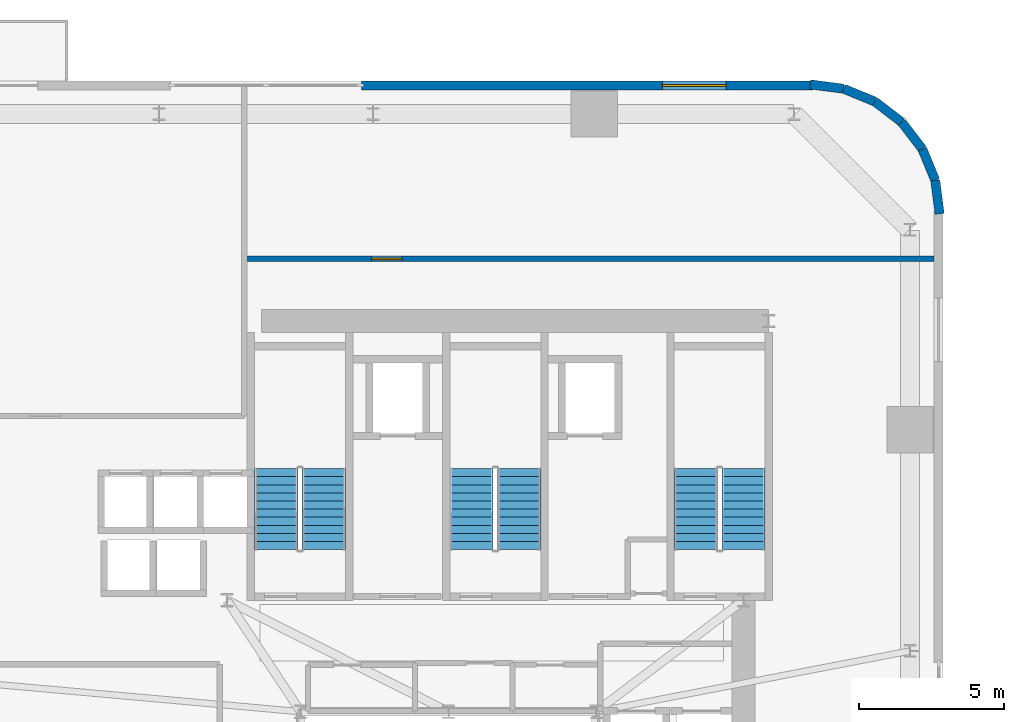
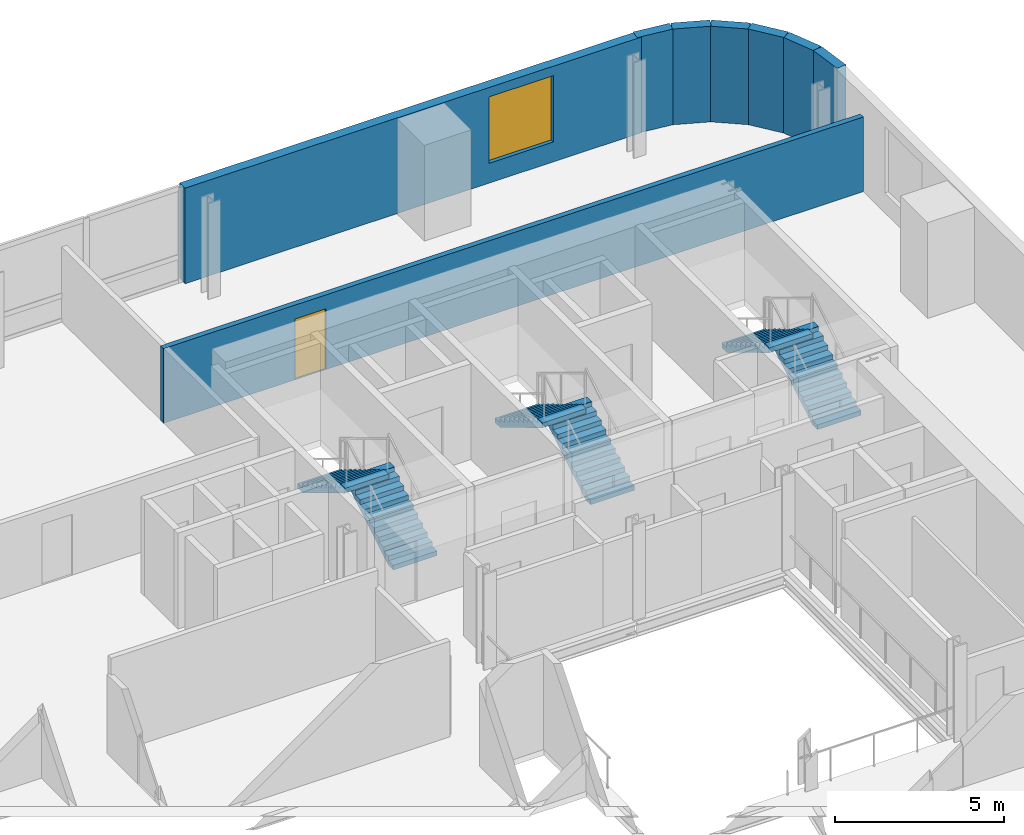
# One storey, part 9 of 13: 8 walls, 6 stair flights, 1 door, 1 window, 2 openings, 3 elements without a shape of their own.
"""IFC4 building model written with IfcOpenShell, lengths in metres."""

from ifc_helpers import new_model, si_unit, direction, frame, frame_2d, origin, place, context, subcontext, project, spatial, polyline, rectangle, outline, extrude, source, transform, mapped, material, layer, layer_set, type_object, element, fill, aggregate, save


model = new_model("IFC4")

# Units and contexts
model_context = context("Model", 3, precision=1e-05, world=origin(), true_north=direction((0.0, 1.0)))
body_context = subcontext(model_context, "Body", "Model", "MODEL_VIEW")
ifc_project = project(units=[si_unit("LENGTHUNIT", "METRE"), si_unit("AREAUNIT", "SQUARE_METRE"), si_unit("VOLUMEUNIT", "CUBIC_METRE"), si_unit("PLANEANGLEUNIT", "RADIAN"), si_unit("MASSUNIT", "GRAM", prefix="KILO")], contexts=[model_context])

# Site, building, storey
site_placement = place(None, origin())
site = spatial("IfcSite", under=ifc_project, at=site_placement, CompositionType="ELEMENT")
building_placement = place(site_placement, origin())
building = spatial("IfcBuilding", under=site, at=building_placement, Name="Vardaveli Station Tower", CompositionType="ELEMENT")
storey_placement = place(building_placement, frame((0.0, 0.0, 159.39990234375)))
storey = spatial("IfcBuildingStorey", under=building, at=storey_placement, Name="L41", CompositionType="ELEMENT", Elevation=159.39990234375)

# Wall, opening, window
ifc_material_1 = material(Name="Precast concrete C45/55", Category="concrete")
ifc_layer_1 = layer(ifc_material_1, 0.320068359375, Name="Precast concrete C45/55")
ifc_layer_set_1 = layer_set([ifc_layer_1], Name="Precast concrete C45/55")
wall_type_1 = type_object("IfcWallType", Name="WAL-EXT-STONE-320", PredefinedType="SOLIDWALL", material=ifc_layer_set_1)
shared_shape_1 = source(origin(), body_context, "Body", "SweptSolid", [
    extrude(rectangle(XDim=15.599853515625, YDim=0.320068359375, at=frame_2d((7.7998046875, 0.0))), origin(), (0.0, 0.0, 1.0), 3.460205078125),
])
wall_1_placement = place(storey_placement, frame((48.89990234375, 48.43994140625, 0.0), z_axis=(0.0, 0.0, 1.0), x_axis=(-1.0, 0.0, 0.0)))
wall_1 = element("IfcWall", 1, at=wall_1_placement, inside=storey, type_object=wall_type_1, Name="EW-L41-N1", PredefinedType="SOLIDWALL", context=body_context, shape_type="MappedRepresentation", body=[
    mapped(shared_shape_1, transform((0.0, 0.0, 0.0), scale=1.0)),
])
shared_shape_2 = source(origin(), body_context, "Body", "SweptSolid", [
    extrude(rectangle(XDim=2.199951171875, YDim=2.39990234375, at=frame_2d((1.10009765625, 1.199951171875))), frame((0.0, 0.169921875, 0.0), z_axis=(0.0, -1.0, 0.0), x_axis=(1.0, 0.0, 0.0)), (0.0, 0.0, 1.0), 0.340087890625),
])
opening_1_placement = place(wall_1_placement, frame((3.0048828125, 0.0, 0.719970703125)))
opening_1 = element("IfcOpeningElement", 2, at=opening_1_placement, cuts=wall_1, Name="Opening W-03", PredefinedType="OPENING", context=body_context, shape_type="MappedRepresentation", body=[
    mapped(shared_shape_2, transform((0.0, 0.0, 0.0), scale=1.0)),
])
ifc_material_2 = material(Name="Low-E solar-control glass", Category="glass")
window_type = type_object("IfcWindowType", Name="WIN-LOG-2200x2400", PartitioningType="SINGLE_PANEL", PredefinedType="WINDOW", material=ifc_material_2)
shared_shape_3 = source(origin(), body_context, "Body", "SweptSolid", [
    extrude(rectangle(XDim=2.199951171875, YDim=2.39990234375, at=frame_2d((1.10009765625, 1.199951171875))), frame((0.0, 0.030029296875, 0.0), z_axis=(0.0, -1.0, 0.0), x_axis=(1.0, 0.0, 0.0)), (0.0, 0.0, 1.0), 0.06005859375),
])
window_placement = place(opening_1_placement, origin())
window = element("IfcWindow", 3, at=window_placement, inside=storey, type_object=window_type, Name="WN-L41-N1", OverallHeight=2.39990234375, OverallWidth=2.199951171875, PartitioningType="SINGLE_PANEL", PredefinedType="WINDOW", context=body_context, shape_type="MappedRepresentation", body=[
    mapped(shared_shape_3, transform((0.0, 0.0, 0.0), scale=1.0)),
])
fill(opening_1, window)

# Walls
shared_shape_4 = source(origin(), body_context, "Body", "SweptSolid", [
    extrude(rectangle(XDim=1.1689453125, YDim=0.320068359375, at=frame_2d((0.58447265625, 0.0))), origin(), (0.0, 0.0, 1.0), 3.460205078125),
])
wall_2_placement = place(storey_placement, frame((52.679931640625, 46.2412109375, 0.0), z_axis=(0.0, 0.0, 1.0), x_axis=(-0.608387696831, 0.793639975269, 0.0)))
element("IfcWall", 4, at=wall_2_placement, inside=storey, type_object=wall_type_1, Name="EW-L41-CR3-3", PredefinedType="SOLIDWALL", context=body_context, shape_type="MappedRepresentation", body=[
    mapped(shared_shape_4, transform((0.0, 0.0, 0.0), scale=1.0)),
])
shared_shape_5 = source(origin(), body_context, "Body", "SweptSolid", [
    extrude(rectangle(XDim=1.168701171875, YDim=0.320068359375, at=frame_2d((0.58447265625, 0.0))), origin(), (0.0, 0.0, 1.0), 3.460205078125),
])
wall_3_placement = place(storey_placement, frame((51.96875, 47.1689453125, 0.0), z_axis=(0.0, 0.0, 1.0), x_axis=(-0.793663520347, 0.608356981114, 0.0)))
element("IfcWall", 5, at=wall_3_placement, inside=storey, type_object=wall_type_1, Name="EW-L41-CR3-4", PredefinedType="SOLIDWALL", context=body_context, shape_type="MappedRepresentation", body=[
    mapped(shared_shape_5, transform((0.0, 0.0, 0.0), scale=1.0)),
])
shared_shape_6 = source(origin(), body_context, "Body", "SweptSolid", [
    extrude(rectangle(XDim=1.17041015625, YDim=0.320068359375, at=frame_2d((0.585205078125, 0.0))), origin(), (0.0, 0.0, 1.0), 3.460205078125),
])
for number, where, z_axis, x_axis, name in (
    (6, (53.275634765625, 43.99951171875, 0.0), (0.0, 0.0, 1.0), (-0.128295670475, 0.991735963317, 0.0), "EW-L41-CR3-1"),
    (7, (49.960205078125, 48.325439453125, 0.0), (0.0, 0.0, 1.0), (-0.991735963317, 0.128295670475, 0.0), "EW-L41-CR3-6"),
):
    element("IfcWall", number, at=place(storey_placement, frame(where, z_axis=z_axis, x_axis=x_axis)), inside=storey, type_object=wall_type_1, Name=name, PredefinedType="SOLIDWALL", context=body_context, shape_type="MappedRepresentation", body=[
        mapped(shared_shape_6, transform((0.0, 0.0, 0.0), scale=1.0)),
    ])
shared_shape_7 = source(origin(), body_context, "Body", "SweptSolid", [
    extrude(rectangle(XDim=1.169189453125, YDim=0.320068359375, at=frame_2d((0.58447265625, 0.0))), origin(), (0.0, 0.0, 1.0), 3.460205078125),
])
for number, where, z_axis, x_axis, name in (
    (8, (53.12548828125, 45.16015625, 0.0), (0.0, 0.0, 1.0), (-0.381054331552, 0.924552646638, 0.0), "EW-L41-CR3-2"),
    (9, (51.041259765625, 47.8798828125, 0.0), (0.0, 0.0, 1.0), (-0.924552646638, 0.381054331552, 0.0), "EW-L41-CR3-5"),
):
    element("IfcWall", number, at=place(storey_placement, frame(where, z_axis=z_axis, x_axis=x_axis)), inside=storey, type_object=wall_type_1, Name=name, PredefinedType="SOLIDWALL", context=body_context, shape_type="MappedRepresentation", body=[
        mapped(shared_shape_7, transform((0.0, 0.0, 0.0), scale=1.0)),
    ])

# Wall, opening, door
ifc_material_3 = material(Name="Fire-rated gypsum stud partition")
ifc_layer_2 = layer(ifc_material_3, 0.179931640625, Name="Fire-rated gypsum stud partition")
ifc_layer_set_2 = layer_set([ifc_layer_2], Name="Fire-rated gypsum stud partition")
wall_type_2 = type_object("IfcWallType", Name="WAL-CORR-180", PredefinedType="PARTITIONING", material=ifc_layer_set_2)
shared_shape_8 = source(origin(), body_context, "Body", "SweptSolid", [
    extrude(rectangle(XDim=23.927978515625, YDim=0.179931640625, at=frame_2d((11.9638671875, 0.0))), origin(), (0.0, 0.0, 1.0), 2.7021484375),
])
wall_4_placement = place(storey_placement, frame((29.14990234375, 42.449951171875, 0.0), z_axis=(0.0, 0.0, 1.0), x_axis=(1.0, 0.0, 0.0)))
wall_4 = element("IfcWall", 10, at=wall_4_placement, inside=storey, type_object=wall_type_2, Name="W-L41-NPS", PredefinedType="PARTITIONING", context=body_context, shape_type="MappedRepresentation", body=[
    mapped(shared_shape_8, transform((0.0, 0.0, 0.0), scale=1.0)),
])
shared_shape_9 = source(origin(), body_context, "Body", "SweptSolid", [
    extrude(rectangle(XDim=1.050048828125, YDim=2.199951171875, at=frame_2d((0.52490234375, 1.10009765625))), frame((0.0, 0.10009765625, 0.0), z_axis=(0.0, -1.0, 0.0), x_axis=(1.0, 0.0, 0.0)), (0.0, 0.0, 1.0), 0.199951171875),
])
opening_2_placement = place(wall_4_placement, frame((4.5, 0.0, 0.0)))
opening_2 = element("IfcOpeningElement", 11, at=opening_2_placement, cuts=wall_4, Name="Opening D-05", PredefinedType="OPENING", context=body_context, shape_type="MappedRepresentation", body=[
    mapped(shared_shape_9, transform((0.0, 0.0, 0.0), scale=1.0)),
])
ifc_material_4 = material(Name="Walnut veneer acoustic fire door")
door_type = type_object("IfcDoorType", Name="DR-SUITE-1050x2200", OperationType="NOTDEFINED", PredefinedType="DOOR", material=ifc_material_4)
shared_shape_10 = source(origin(), body_context, "Body", "SweptSolid", [
    extrude(rectangle(XDim=1.050048828125, YDim=2.199951171875, at=frame_2d((0.52490234375, 1.10009765625))), frame((0.0, 0.02490234375, 0.0), z_axis=(0.0, -1.0, 0.0), x_axis=(1.0, 0.0, 0.0)), (0.0, 0.0, 1.0), 0.050048828125),
])
door_placement = place(opening_2_placement, origin())
door = element("IfcDoor", 12, at=door_placement, inside=storey, type_object=door_type, Name="D-L41-NP1", OperationType="SINGLE_SWING_RIGHT", OverallHeight=2.199951171875, OverallWidth=1.050048828125, PredefinedType="DOOR", context=body_context, shape_type="MappedRepresentation", body=[
    mapped(shared_shape_10, transform((0.0, 0.0, 0.0), scale=1.0)),
])
fill(opening_2, door)

# Stair, stair flights
ifc_material_5 = material(Name="Concrete C40/50", Category="concrete")
stair_type = type_object("IfcStairType", Name="STR-CORE-1500", PredefinedType="HALF_TURN_STAIR", material=ifc_material_5)
stair_1_placement = place(storey_placement, origin())
stair_1 = element("IfcStair", 13, at=stair_1_placement, inside=storey, type_object=stair_type, Name="L41 ST-1", PredefinedType="HALF_TURN_STAIR")
stair_flight_type = type_object("IfcStairFlightType", Name="SFL-CORE-1500", PredefinedType="STRAIGHT", material=ifc_material_5)
shared_shape_11 = source(origin(), body_context, "Body", "SweptSolid", [
    extrude(outline(polyline([(0.0, 0.0), (0.0, 0.168212890625), (0.280029296875, 0.168212890625), (0.280029296875, 0.33642578125), (0.56005859375, 0.33642578125), (0.56005859375, 0.504638671875), (0.840087890625, 0.504638671875), (0.840087890625, 0.672607421875), (1.1201171875, 0.672607421875), (1.1201171875, 0.8408203125), (1.39990234375, 0.8408203125), (1.39990234375, 1.009033203125), (1.679931640625, 1.009033203125), (1.679931640625, 1.17724609375), (1.9599609375, 1.17724609375), (1.9599609375, 1.345458984375), (2.239990234375, 1.345458984375), (2.239990234375, 1.513671875), (2.52001953125, 1.513671875), (2.52001953125, 1.681884765625), (2.800048828125, 1.681884765625), (2.800048828125, 1.85009765625), (2.800048828125, 1.5068359375), (0.291015625, 0.0), (0.0, 0.0)])), frame((0.0, 0.75, 0.0), z_axis=(0.0, -1.0, 0.0), x_axis=(1.0, 0.0, 0.0)), (0.0, 0.0, 1.0), 1.5),
])
stair_flight_1_placement = place(storey_placement, frame((32.0, 32.39990234375, 0.0), z_axis=(0.0, 0.0, 1.0), x_axis=(0.0, 1.0, 0.0)))
stair_flight_1 = element("IfcStairFlight", 14, at=stair_flight_1_placement, type_object=stair_flight_type, Name="ST-1 flight 1", NumberOfRisers=11, NumberOfTreads=10, PredefinedType="STRAIGHT", RiserHeight=0.168181818, TreadLength=0.28, context=body_context, shape_type="MappedRepresentation", body=[
    mapped(shared_shape_11, transform((0.0, 0.0, 0.0), scale=1.0)),
])
stair_flight_2_placement = place(storey_placement, frame((30.35009765625, 35.199951171875, 1.85009765625), z_axis=(0.0, 0.0, 1.0), x_axis=(0.0, -1.0, 0.0)))
stair_flight_2 = element("IfcStairFlight", 15, at=stair_flight_2_placement, type_object=stair_flight_type, Name="ST-1 flight 2", NumberOfRisers=11, NumberOfTreads=10, PredefinedType="STRAIGHT", RiserHeight=0.168181818, TreadLength=0.28, context=body_context, shape_type="MappedRepresentation", body=[
    mapped(shared_shape_11, transform((0.0, 0.0, 0.0), scale=1.0)),
])
aggregate(stair_1, [stair_flight_1, stair_flight_2])

stair_2_placement = place(storey_placement, origin())
stair_2 = element("IfcStair", 16, at=stair_2_placement, inside=storey, type_object=stair_type, Name="L41 ST-2", PredefinedType="HALF_TURN_STAIR")
stair_flight_3_placement = place(storey_placement, frame((38.75, 32.39990234375, 0.0), z_axis=(0.0, 0.0, 1.0), x_axis=(0.0, 1.0, 0.0)))
stair_flight_3 = element("IfcStairFlight", 17, at=stair_flight_3_placement, type_object=stair_flight_type, Name="ST-2 flight 1", NumberOfRisers=11, NumberOfTreads=10, PredefinedType="STRAIGHT", RiserHeight=0.168181818, TreadLength=0.28, context=body_context, shape_type="MappedRepresentation", body=[
    mapped(shared_shape_11, transform((0.0, 0.0, 0.0), scale=1.0)),
])
stair_flight_4_placement = place(storey_placement, frame((37.10009765625, 35.199951171875, 1.85009765625), z_axis=(0.0, 0.0, 1.0), x_axis=(0.0, -1.0, 0.0)))
stair_flight_4 = element("IfcStairFlight", 18, at=stair_flight_4_placement, type_object=stair_flight_type, Name="ST-2 flight 2", NumberOfRisers=11, NumberOfTreads=10, PredefinedType="STRAIGHT", RiserHeight=0.168181818, TreadLength=0.28, context=body_context, shape_type="MappedRepresentation", body=[
    mapped(shared_shape_11, transform((0.0, 0.0, 0.0), scale=1.0)),
])
aggregate(stair_2, [stair_flight_3, stair_flight_4])

stair_3_placement = place(storey_placement, origin())
stair_3 = element("IfcStair", 19, at=stair_3_placement, inside=storey, type_object=stair_type, Name="L41 ST-3", PredefinedType="HALF_TURN_STAIR")
stair_flight_5_placement = place(storey_placement, frame((46.5, 32.39990234375, 0.0), z_axis=(0.0, 0.0, 1.0), x_axis=(0.0, 1.0, 0.0)))
stair_flight_5 = element("IfcStairFlight", 20, at=stair_flight_5_placement, type_object=stair_flight_type, Name="ST-3 flight 1", NumberOfRisers=11, NumberOfTreads=10, PredefinedType="STRAIGHT", RiserHeight=0.168181818, TreadLength=0.28, context=body_context, shape_type="MappedRepresentation", body=[
    mapped(shared_shape_11, transform((0.0, 0.0, 0.0), scale=1.0)),
])
stair_flight_6_placement = place(storey_placement, frame((44.85009765625, 35.199951171875, 1.85009765625), z_axis=(0.0, 0.0, 1.0), x_axis=(0.0, -1.0, 0.0)))
stair_flight_6 = element("IfcStairFlight", 21, at=stair_flight_6_placement, type_object=stair_flight_type, Name="ST-3 flight 2", NumberOfRisers=11, NumberOfTreads=10, PredefinedType="STRAIGHT", RiserHeight=0.168181818, TreadLength=0.28, context=body_context, shape_type="MappedRepresentation", body=[
    mapped(shared_shape_11, transform((0.0, 0.0, 0.0), scale=1.0)),
])
aggregate(stair_3, [stair_flight_5, stair_flight_6])

save(model, "model.ifc")
